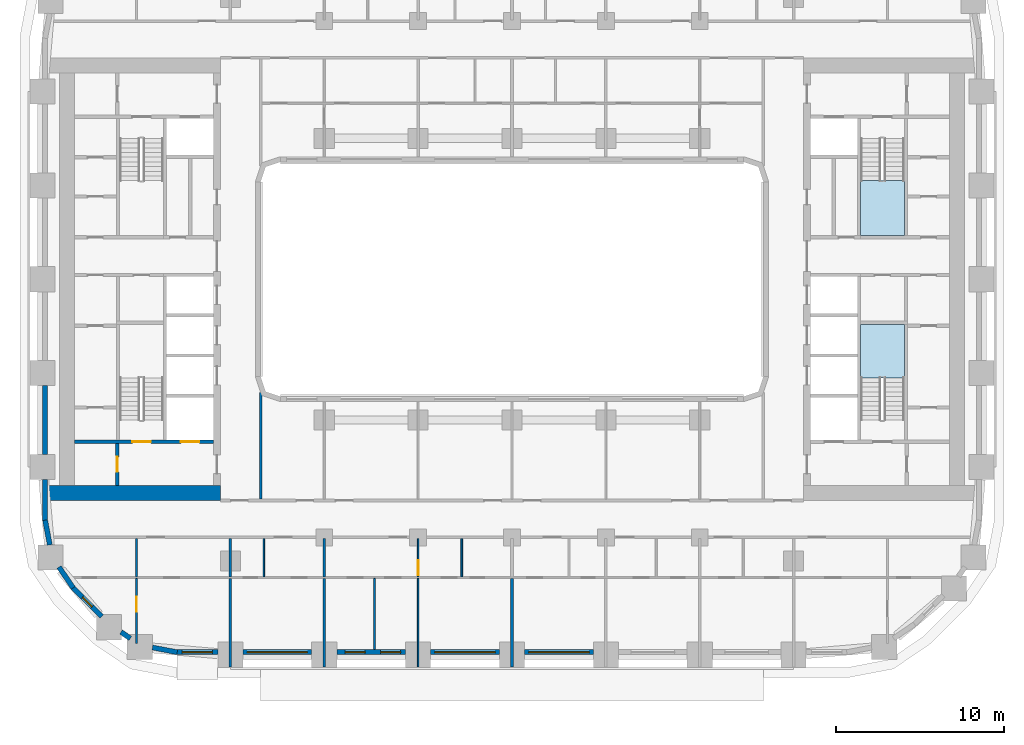
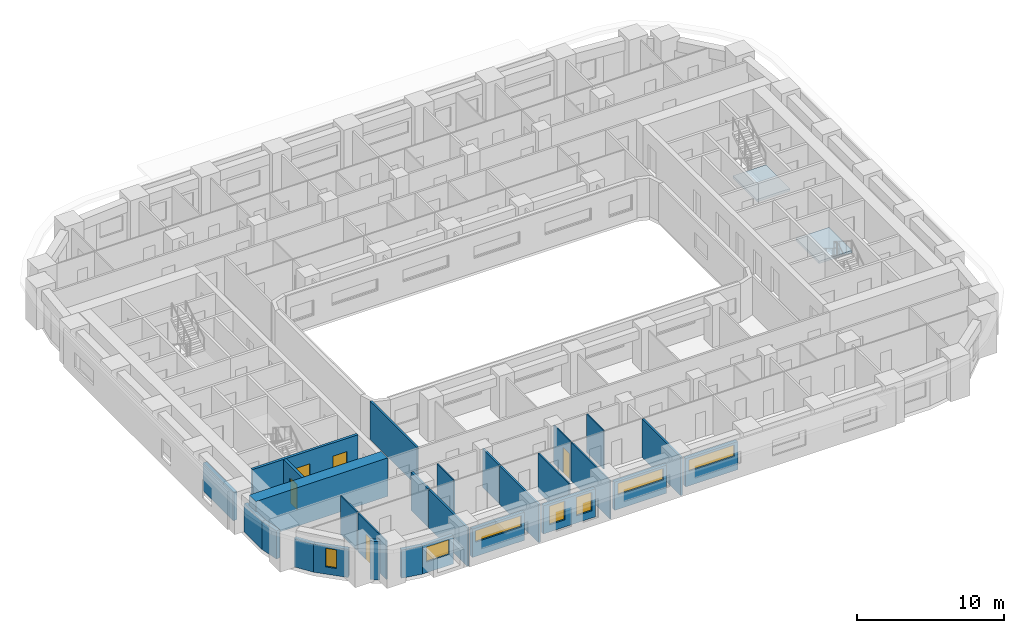
# One storey, part 2 of 21: 28 walls, 7 windows, 5 doors, 2 slabs, 12 openings, 2 elements without a shape of their own.
"""IFC4 building model written with IfcOpenShell, lengths in metres."""

from ifc_helpers import new_model, si_unit, direction, frame, frame_2d, origin, place, context, subcontext, project, spatial, polyline, rectangle, outline, extrude, material, layer, layer_set, type_object, element, fill, aggregate, save


model = new_model("IFC4")

# Units and contexts
model_context = context("Model", 3, precision=1e-05, world=origin(), true_north=direction((0.0, 1.0)))
body_context = subcontext(model_context, "Body", "Model", "MODEL_VIEW")
ifc_project = project(units=[si_unit("LENGTHUNIT", "METRE"), si_unit("AREAUNIT", "SQUARE_METRE"), si_unit("VOLUMEUNIT", "CUBIC_METRE"), si_unit("PLANEANGLEUNIT", "RADIAN"), si_unit("MASSUNIT", "GRAM", prefix="KILO")], contexts=[model_context])

# Site, building, storey
site_placement = place(None, origin())
site = spatial("IfcSite", under=ifc_project, at=site_placement, CompositionType="ELEMENT")
building_placement = place(site_placement, origin())
building = spatial("IfcBuilding", under=site, at=building_placement, Name="Kiln Ring Residences", CompositionType="ELEMENT")
storey_placement = place(building_placement, frame((0.0, 0.0, 41.0)))
storey = spatial("IfcBuildingStorey", under=building, at=storey_placement, Name="L09", CompositionType="ELEMENT", Elevation=41.0)

# Stair, slab
ifc_material_1 = material(Name="Concrete C40/50", Category="concrete")
stair_type = type_object("IfcStairType", Name="CORE-STAIR", PredefinedType="HALF_TURN_STAIR", material=ifc_material_1)
placement_1 = place(storey_placement, origin())
stair_1 = element("IfcStair", 1, at=placement_1, inside=storey, type_object=stair_type, Name="L09 stair E-STN", PredefinedType="HALF_TURN_STAIR")
ifc_material_2 = material(Name="Concrete C40/50", Category="concrete")
ifc_layer_1 = layer(ifc_material_2, 0.199951171875)
ifc_layer_set_1 = layer_set([ifc_layer_1], Name="CORE-STAIR-LANDING")
slab_type = type_object("IfcSlabType", Name="CORE-STAIR-LANDING", PredefinedType="LANDING", material=ifc_layer_set_1)
placement_2 = place(storey_placement, frame((0.0, 0.0, 1.550048828125)))
slab_1 = element("IfcSlab", 2, at=placement_2, type_object=slab_type, Name="E-STN landing 1", PredefinedType="LANDING", context=body_context, shape_type="SweptSolid", body=[
    extrude(outline(polyline([(20.800048828125, 5.8798828125), (20.800048828125, 2.60009765625), (23.39990234375, 2.60009765625), (23.39990234375, 5.8798828125), (20.800048828125, 5.8798828125)])), origin(), (0.0, 0.0, 1.0), 0.199951171875),
])
aggregate(stair_1, [slab_1])

stair_2 = element("IfcStair", 3, at=placement_1, inside=storey, type_object=stair_type, Name="L09 stair E-STS", PredefinedType="HALF_TURN_STAIR")
slab_2 = element("IfcSlab", 4, at=placement_2, type_object=slab_type, Name="E-STS landing 1", PredefinedType="LANDING", context=body_context, shape_type="SweptSolid", body=[
    extrude(outline(polyline([(23.39990234375, -5.8798828125), (23.39990234375, -2.699951171875), (20.800048828125, -2.699951171875), (20.800048828125, -5.8798828125), (23.39990234375, -5.8798828125)])), origin(), (0.0, 0.0, 1.0), 0.199951171875),
])
aggregate(stair_2, [slab_2])

# Wall, opening, door
ifc_material_3 = material(Name="Gypsum board on steel studs", Category="steel")
ifc_layer_2 = layer(ifc_material_3, 0.199951171875)
ifc_layer_set_2 = layer_set([ifc_layer_2], Name="CORE-PARTITION-200")
wall_type_1 = type_object("IfcWallType", Name="CORE-PARTITION-200", PredefinedType="PARTITIONING", material=ifc_layer_set_2)
wall_1_placement = place(storey_placement, frame((-23.550048828125, -12.300048828125, 0.0), z_axis=(0.0, 0.0, 1.0), x_axis=(0.0, 1.0, 0.0)))
wall_1 = element("IfcWall", 5, at=wall_1_placement, inside=storey, type_object=wall_type_1, Name="Core partition west L09 5", PredefinedType="PARTITIONING", context=body_context, shape_type="SweptSolid", body=[
    extrude(rectangle(XDim=2.5, YDim=0.199951171875, at=frame_2d((1.25, 0.0))), origin(), (0.0, 0.0, 1.0), 3.199951171875),
])
opening_1_placement = place(wall_1_placement, frame((0.800048828125, 0.0, 0.0)))
opening_1 = element("IfcOpeningElement", 6, at=opening_1_placement, cuts=wall_1, Name="Opening L09-CW11", PredefinedType="OPENING", context=body_context, shape_type="SweptSolid", body=[
    extrude(rectangle(XDim=0.89990234375, YDim=2.10009765625, at=frame_2d((0.449951171875, 1.050048828125))), frame((0.0, 0.10986328125, 0.0), z_axis=(0.0, -1.0, 0.0), x_axis=(1.0, 0.0, 0.0)), (0.0, 0.0, 1.0), 0.219970703125),
])
ifc_material_4 = material(Name="Steel door leaf", Category="steel")
door_type_1 = type_object("IfcDoorType", Name="CORE-DOOR-ROOM", OperationType="SINGLE_SWING_LEFT", PredefinedType="DOOR", material=ifc_material_4)
door_1_placement = place(opening_1_placement, origin())
door_1 = element("IfcDoor", 7, at=door_1_placement, inside=storey, type_object=door_type_1, Name="Store L09-CW11", OperationType="SINGLE_SWING_LEFT", OverallHeight=2.10009765625, OverallWidth=0.89990234375, PredefinedType="DOOR", context=body_context, shape_type="SweptSolid", body=[
    extrude(rectangle(XDim=0.89990234375, YDim=2.10009765625, at=frame_2d((0.449951171875, 1.050048828125))), frame((0.0, 0.02490234375, 0.0), z_axis=(0.0, -1.0, 0.0), x_axis=(1.0, 0.0, 0.0)), (0.0, 0.0, 1.0), 0.050048828125),
])
fill(opening_1, door_1)

# Wall, openings, doors
ifc_material_5 = material(Name="Concrete C40/50", Category="concrete")
ifc_layer_3 = layer(ifc_material_5, 0.199951171875)
ifc_layer_set_3 = layer_set([ifc_layer_3], Name="CORE-WALL-RC200")
wall_type_2 = type_object("IfcWallType", Name="CORE-WALL-RC200", PredefinedType="SHEAR", material=ifc_layer_set_3)
wall_2_placement = place(storey_placement, frame((-17.800048828125, -9.699951171875, 0.0), z_axis=(0.0, 0.0, 1.0), x_axis=(-1.0, 0.0, 0.0)))
wall_2 = element("IfcWall", 8, at=wall_2_placement, inside=storey, type_object=wall_type_2, Name="Core wall west L09 8", PredefinedType="SHEAR", context=body_context, shape_type="SweptSolid", body=[
    extrude(rectangle(XDim=8.300048828125, YDim=0.199951171875, at=frame_2d((4.14990234375, 0.0))), origin(), (0.0, 0.0, 1.0), 3.199951171875),
])
opening_2_placement = place(wall_2_placement, frame((0.85009765625, 0.0, 0.0)))
opening_2 = element("IfcOpeningElement", 9, at=opening_2_placement, cuts=wall_2, Name="Opening L09-CW01", PredefinedType="OPENING", context=body_context, shape_type="SweptSolid", body=[
    extrude(rectangle(XDim=1.10009765625, YDim=2.10009765625, at=frame_2d((0.550048828125, 1.050048828125))), frame((0.0, 0.10986328125, 0.0), z_axis=(0.0, -1.0, 0.0), x_axis=(1.0, 0.0, 0.0)), (0.0, 0.0, 1.0), 0.219970703125),
])
opening_3_placement = place(wall_2_placement, frame((3.75, 0.0, 0.0)))
opening_3 = element("IfcOpeningElement", 10, at=opening_3_placement, cuts=wall_2, Name="Opening L09-CW13", PredefinedType="OPENING", context=body_context, shape_type="SweptSolid", body=[
    extrude(rectangle(XDim=1.10009765625, YDim=2.10009765625, at=frame_2d((0.550048828125, 1.050048828125))), frame((0.0, 0.10986328125, 0.0), z_axis=(0.0, -1.0, 0.0), x_axis=(1.0, 0.0, 0.0)), (0.0, 0.0, 1.0), 0.219970703125),
])
ifc_material_6 = material(Name="Steel door leaf", Category="steel")
door_type_2 = type_object("IfcDoorType", Name="CORE-DOOR-LD", OperationType="DOUBLE_DOOR_SLIDING", PredefinedType="DOOR", material=ifc_material_6)
door_2_placement = place(opening_2_placement, origin())
door_2 = element("IfcDoor", 11, at=door_2_placement, inside=storey, type_object=door_type_2, Name="LD W-SV L09-CW01", OperationType="DOUBLE_DOOR_SLIDING", OverallHeight=2.10009765625, OverallWidth=1.10009765625, PredefinedType="DOOR", context=body_context, shape_type="SweptSolid", body=[
    extrude(rectangle(XDim=1.10009765625, YDim=2.10009765625, at=frame_2d((0.550048828125, 1.050048828125))), frame((0.0, 0.02490234375, 0.0), z_axis=(0.0, -1.0, 0.0), x_axis=(1.0, 0.0, 0.0)), (0.0, 0.0, 1.0), 0.050048828125),
])
fill(opening_2, door_2)
ifc_material_7 = material(Name="Steel door leaf", Category="steel")
door_type_3 = type_object("IfcDoorType", Name="CORE-DOOR-STAIR", OperationType="SINGLE_SWING_LEFT", PredefinedType="DOOR", material=ifc_material_7)
door_3_placement = place(opening_3_placement, origin())
door_3 = element("IfcDoor", 12, at=door_3_placement, inside=storey, type_object=door_type_3, Name="Stair W-STS L09-CW13", OperationType="SINGLE_SWING_RIGHT", OverallHeight=2.10009765625, OverallWidth=1.10009765625, PredefinedType="DOOR", context=body_context, shape_type="SweptSolid", body=[
    extrude(rectangle(XDim=1.10009765625, YDim=2.10009765625, at=frame_2d((0.550048828125, 1.050048828125))), frame((0.0, 0.02490234375, 0.0), z_axis=(0.0, -1.0, 0.0), x_axis=(1.0, 0.0, 0.0)), (0.0, 0.0, 1.0), 0.050048828125),
])
fill(opening_3, door_3)

# Wall
ifc_material_8 = material(Name="Concrete C60/75", Category="concrete")
ifc_layer_4 = layer(ifc_material_8, 0.89990234375)
ifc_layer_set_4 = layer_set([ifc_layer_4], Name="CORE-WALL-RC900")
wall_type_3 = type_object("IfcWallType", Name="CORE-WALL-RC900", PredefinedType="SHEAR", material=ifc_layer_set_4)
wall_3_placement = place(storey_placement, frame((-17.39990234375, -12.75, 0.0), z_axis=(0.0, 0.0, 1.0), x_axis=(-1.0, 0.0, 0.0)))
element("IfcWall", 13, at=wall_3_placement, inside=storey, type_object=wall_type_3, Name="Core wall west L09 5", PredefinedType="SHEAR", context=body_context, shape_type="SweptSolid", body=[
    extrude(rectangle(XDim=10.400146484375, YDim=0.89990234375, at=frame_2d((5.2001953125, 0.0))), origin(), (0.0, 0.0, 1.0), 3.199951171875),
])

# Wall, opening, window
ifc_material_9 = material(Name="Brick masonry, dark clay brick", Category="masonry")
ifc_layer_5 = layer(ifc_material_9, 0.300048828125)
ifc_layer_set_5 = layer_set([ifc_layer_5], Name="EW-300 BRICK WALL")
wall_type_4 = type_object("IfcWallType", Name="EW-300 BRICK WALL", PredefinedType="SOLIDWALL", material=ifc_layer_set_5)
wall_4_placement = place(storey_placement, frame((-26.19677734375, -18.390869140625, 0.0), z_axis=(0.0, 0.0, 1.0), x_axis=(0.707106781187, -0.707106781187, 0.0)))
wall_4 = element("IfcWall", 14, at=wall_4_placement, inside=storey, type_object=wall_type_4, Name="Facade wall L09 1", PredefinedType="SOLIDWALL", context=body_context, shape_type="SweptSolid", body=[
    extrude(rectangle(XDim=2.449951171875, YDim=0.300048828125, at=frame_2d((1.22509765625, 0.0))), origin(), (0.0, 0.0, 1.0), 2.35009765625),
])
opening_4_placement = place(wall_4_placement, frame((0.824951171875, 0.0, 0.60009765625)))
opening_4 = element("IfcOpeningElement", 15, at=opening_4_placement, cuts=wall_4, Name="Opening W5", PredefinedType="OPENING", context=body_context, shape_type="SweptSolid", body=[
    extrude(rectangle(XDim=0.800048828125, YDim=1.550048828125, at=frame_2d((0.39990234375, 0.77490234375))), frame((0.0, 0.159912109375, 0.0), z_axis=(0.0, -1.0, 0.0), x_axis=(1.0, 0.0, 0.0)), (0.0, 0.0, 1.0), 0.320068359375),
])
ifc_material_10 = material(Name="Aluminium frame with double glazing", Category="aluminium")
window_type_1 = type_object("IfcWindowType", Name="WINDOW 800 x 1550", PartitioningType="SINGLE_PANEL", PredefinedType="WINDOW", material=ifc_material_10)
window_1_placement = place(opening_4_placement, origin())
window_1 = element("IfcWindow", 16, at=window_1_placement, inside=storey, type_object=window_type_1, Name="Window L09 1", OverallHeight=1.550048828125, OverallWidth=0.800048828125, PartitioningType="SINGLE_PANEL", PredefinedType="WINDOW", context=body_context, shape_type="SweptSolid", body=[
    extrude(rectangle(XDim=0.800048828125, YDim=1.550048828125, at=frame_2d((0.39990234375, 0.77490234375))), frame((0.0, 0.030029296875, 0.0), z_axis=(0.0, -1.0, 0.0), x_axis=(1.0, 0.0, 0.0)), (0.0, 0.0, 1.0), 0.06005859375),
])
fill(opening_4, window_1)

# Walls
wall_5_placement = place(storey_placement, frame((-23.3271484375, -21.044921875, 0.0), z_axis=(0.0, 0.0, 1.0), x_axis=(0.827080706709, -0.562083182981, 0.0)))
element("IfcWall", 17, at=wall_5_placement, inside=storey, type_object=wall_type_4, Name="Facade wall L09 2", PredefinedType="SOLIDWALL", context=body_context, shape_type="SweptSolid", body=[
    extrude(rectangle(XDim=0.67724609375, YDim=0.300048828125, at=frame_2d((0.338623046875, 0.0))), origin(), (0.0, 0.0, 1.0), 3.199951171875),
])
wall_6_placement = place(storey_placement, frame((-21.451416015625, -21.970458984375, 0.0), z_axis=(0.0, 0.0, 1.0), x_axis=(0.982287454367, -0.187380247071, 0.0)))
element("IfcWall", 18, at=wall_6_placement, inside=storey, type_object=wall_type_4, Name="Facade wall L09 3", PredefinedType="SOLIDWALL", context=body_context, shape_type="SweptSolid", body=[
    extrude(rectangle(XDim=1.506103515625, YDim=0.300048828125, at=frame_2d((0.7529296875, 0.0))), origin(), (0.0, 0.0, 1.0), 2.35009765625),
])

# Wall, opening, window
wall_7_placement = place(storey_placement, frame((-20.0, -22.25, 0.0), z_axis=(0.0, 0.0, 1.0), x_axis=(1.0, 0.0, 0.0)))
wall_7 = element("IfcWall", 19, at=wall_7_placement, inside=storey, type_object=wall_type_4, Name="Facade wall L09 4", PredefinedType="SOLIDWALL", context=body_context, shape_type="SweptSolid", body=[
    extrude(rectangle(XDim=2.449951171875, YDim=0.300048828125, at=frame_2d((1.22509765625, 0.0))), origin(), (0.0, 0.0, 1.0), 2.35009765625),
])
opening_5_placement = place(wall_7_placement, frame((0.324951171875, 0.0, 0.89990234375)))
opening_5 = element("IfcOpeningElement", 20, at=opening_5_placement, cuts=wall_7, Name="Opening W2", PredefinedType="OPENING", context=body_context, shape_type="SweptSolid", body=[
    extrude(rectangle(XDim=1.800048828125, YDim=1.25, at=frame_2d((0.89990234375, 0.625))), frame((0.0, 0.159912109375, 0.0), z_axis=(0.0, -1.0, 0.0), x_axis=(1.0, 0.0, 0.0)), (0.0, 0.0, 1.0), 0.320068359375),
])
ifc_material_11 = material(Name="Aluminium frame with double glazing", Category="aluminium")
window_type_2 = type_object("IfcWindowType", Name="WINDOW 1800 x 1250", PartitioningType="SINGLE_PANEL", PredefinedType="WINDOW", material=ifc_material_11)
window_2_placement = place(opening_5_placement, origin())
window_2 = element("IfcWindow", 21, at=window_2_placement, inside=storey, type_object=window_type_2, Name="Window L09 2", OverallHeight=1.25, OverallWidth=1.800048828125, PartitioningType="SINGLE_PANEL", PredefinedType="WINDOW", context=body_context, shape_type="SweptSolid", body=[
    extrude(rectangle(XDim=1.800048828125, YDim=1.25, at=frame_2d((0.89990234375, 0.625))), frame((0.0, 0.030029296875, 0.0), z_axis=(0.0, -1.0, 0.0), x_axis=(1.0, 0.0, 0.0)), (0.0, 0.0, 1.0), 0.06005859375),
])
fill(opening_5, window_2)

wall_8_placement = place(storey_placement, frame((-16.050048828125, -22.25, 0.0), z_axis=(0.0, 0.0, 1.0), x_axis=(1.0, 0.0, 0.0)))
wall_8 = element("IfcWall", 22, at=wall_8_placement, inside=storey, type_object=wall_type_4, Name="Facade wall L09 5", PredefinedType="SOLIDWALL", context=body_context, shape_type="SweptSolid", body=[
    extrude(rectangle(XDim=4.10009765625, YDim=0.300048828125, at=frame_2d((2.050048828125, 0.0))), origin(), (0.0, 0.0, 1.0), 2.35009765625),
])
opening_6_placement = place(wall_8_placement, frame((0.25, 0.0, 1.199951171875)))
opening_6 = element("IfcOpeningElement", 23, at=opening_6_placement, cuts=wall_8, Name="Opening W4", PredefinedType="OPENING", context=body_context, shape_type="SweptSolid", body=[
    extrude(rectangle(XDim=3.60009765625, YDim=0.949951171875, at=frame_2d((1.800048828125, 0.47509765625))), frame((0.0, 0.159912109375, 0.0), z_axis=(0.0, -1.0, 0.0), x_axis=(1.0, 0.0, 0.0)), (0.0, 0.0, 1.0), 0.320068359375),
])
ifc_material_12 = material(Name="Aluminium frame with double glazing", Category="aluminium")
window_type_3 = type_object("IfcWindowType", Name="WINDOW 3600 x 950", PartitioningType="SINGLE_PANEL", PredefinedType="WINDOW", material=ifc_material_12)
window_3_placement = place(opening_6_placement, origin())
window_3 = element("IfcWindow", 24, at=window_3_placement, inside=storey, type_object=window_type_3, Name="Window L09 3", OverallHeight=0.949951171875, OverallWidth=3.60009765625, PartitioningType="SINGLE_PANEL", PredefinedType="WINDOW", context=body_context, shape_type="SweptSolid", body=[
    extrude(rectangle(XDim=3.60009765625, YDim=0.949951171875, at=frame_2d((1.800048828125, 0.47509765625))), frame((0.0, 0.030029296875, 0.0), z_axis=(0.0, -1.0, 0.0), x_axis=(1.0, 0.0, 0.0)), (0.0, 0.0, 1.0), 0.06005859375),
])
fill(opening_6, window_3)

# Wall, openings, windows
wall_9_placement = place(storey_placement, frame((-10.449951171875, -22.25, 0.0), z_axis=(0.0, 0.0, 1.0), x_axis=(1.0, 0.0, 0.0)))
wall_9 = element("IfcWall", 25, at=wall_9_placement, inside=storey, type_object=wall_type_4, Name="Facade wall L09 6", PredefinedType="SOLIDWALL", context=body_context, shape_type="SweptSolid", body=[
    extrude(rectangle(XDim=4.099853515625, YDim=0.300048828125, at=frame_2d((2.0498046875, 0.0))), origin(), (0.0, 0.0, 1.0), 2.35009765625),
])
opening_7_placement = place(wall_9_placement, frame((0.487548828125, 0.0, 0.60009765625)))
opening_7 = element("IfcOpeningElement", 26, at=opening_7_placement, cuts=wall_9, Name="Opening W1", PredefinedType="OPENING", context=body_context, shape_type="SweptSolid", body=[
    extrude(rectangle(XDim=1.199951171875, YDim=1.550048828125, at=frame_2d((0.60009765625, 0.77490234375))), frame((0.0, 0.159912109375, 0.0), z_axis=(0.0, -1.0, 0.0), x_axis=(1.0, 0.0, 0.0)), (0.0, 0.0, 1.0), 0.320068359375),
])
opening_8_placement = place(wall_9_placement, frame((2.612548828125, 0.0, 0.60009765625)))
opening_8 = element("IfcOpeningElement", 27, at=opening_8_placement, cuts=wall_9, Name="Opening W1", PredefinedType="OPENING", context=body_context, shape_type="SweptSolid", body=[
    extrude(rectangle(XDim=1.199951171875, YDim=1.550048828125, at=frame_2d((0.60009765625, 0.77490234375))), frame((0.0, 0.159912109375, 0.0), z_axis=(0.0, -1.0, 0.0), x_axis=(1.0, 0.0, 0.0)), (0.0, 0.0, 1.0), 0.320068359375),
])
ifc_material_13 = material(Name="Aluminium frame with double glazing", Category="aluminium")
window_type_4 = type_object("IfcWindowType", Name="WINDOW 1200 x 1550", PartitioningType="SINGLE_PANEL", PredefinedType="WINDOW", material=ifc_material_13)
window_4_placement = place(opening_7_placement, origin())
window_4 = element("IfcWindow", 28, at=window_4_placement, inside=storey, type_object=window_type_4, Name="Window L09 4", OverallHeight=1.550048828125, OverallWidth=1.199951171875, PartitioningType="SINGLE_PANEL", PredefinedType="WINDOW", context=body_context, shape_type="SweptSolid", body=[
    extrude(rectangle(XDim=1.199951171875, YDim=1.550048828125, at=frame_2d((0.60009765625, 0.77490234375))), frame((0.0, 0.030029296875, 0.0), z_axis=(0.0, -1.0, 0.0), x_axis=(1.0, 0.0, 0.0)), (0.0, 0.0, 1.0), 0.06005859375),
])
fill(opening_7, window_4)
window_5_placement = place(opening_8_placement, origin())
window_5 = element("IfcWindow", 29, at=window_5_placement, inside=storey, type_object=window_type_4, Name="Window L09 5", OverallHeight=1.550048828125, OverallWidth=1.199951171875, PartitioningType="SINGLE_PANEL", PredefinedType="WINDOW", context=body_context, shape_type="SweptSolid", body=[
    extrude(rectangle(XDim=1.199951171875, YDim=1.550048828125, at=frame_2d((0.60009765625, 0.77490234375))), frame((0.0, 0.030029296875, 0.0), z_axis=(0.0, -1.0, 0.0), x_axis=(1.0, 0.0, 0.0)), (0.0, 0.0, 1.0), 0.06005859375),
])
fill(opening_8, window_5)

# Wall, opening, window
wall_10_placement = place(storey_placement, frame((-4.85009765625, -22.25, 0.0), z_axis=(0.0, 0.0, 1.0), x_axis=(1.0, 0.0, 0.0)))
wall_10 = element("IfcWall", 30, at=wall_10_placement, inside=storey, type_object=wall_type_4, Name="Facade wall L09 7", PredefinedType="SOLIDWALL", context=body_context, shape_type="SweptSolid", body=[
    extrude(rectangle(XDim=4.10009765625, YDim=0.300048828125, at=frame_2d((2.050048828125, 0.0))), origin(), (0.0, 0.0, 1.0), 2.35009765625),
])
opening_9_placement = place(wall_10_placement, frame((0.25, 0.0, 1.199951171875)))
opening_9 = element("IfcOpeningElement", 31, at=opening_9_placement, cuts=wall_10, Name="Opening W4", PredefinedType="OPENING", context=body_context, shape_type="SweptSolid", body=[
    extrude(rectangle(XDim=3.60009765625, YDim=0.949951171875, at=frame_2d((1.800048828125, 0.47509765625))), frame((0.0, 0.159912109375, 0.0), z_axis=(0.0, -1.0, 0.0), x_axis=(1.0, 0.0, 0.0)), (0.0, 0.0, 1.0), 0.320068359375),
])
window_6_placement = place(opening_9_placement, origin())
window_6 = element("IfcWindow", 32, at=window_6_placement, inside=storey, type_object=window_type_3, Name="Window L09 6", OverallHeight=0.949951171875, OverallWidth=3.60009765625, PartitioningType="SINGLE_PANEL", PredefinedType="WINDOW", context=body_context, shape_type="SweptSolid", body=[
    extrude(rectangle(XDim=3.60009765625, YDim=0.949951171875, at=frame_2d((1.800048828125, 0.47509765625))), frame((0.0, 0.030029296875, 0.0), z_axis=(0.0, -1.0, 0.0), x_axis=(1.0, 0.0, 0.0)), (0.0, 0.0, 1.0), 0.06005859375),
])
fill(opening_9, window_6)

wall_11_placement = place(storey_placement, frame((0.75, -22.25, 0.0), z_axis=(0.0, 0.0, 1.0), x_axis=(1.0, 0.0, 0.0)))
wall_11 = element("IfcWall", 33, at=wall_11_placement, inside=storey, type_object=wall_type_4, Name="Facade wall L09 8", PredefinedType="SOLIDWALL", context=body_context, shape_type="SweptSolid", body=[
    extrude(rectangle(XDim=4.10009765625, YDim=0.300048828125, at=frame_2d((2.050048828125, 0.0))), origin(), (0.0, 0.0, 1.0), 2.35009765625),
])
opening_10_placement = place(wall_11_placement, frame((0.25, 0.0, 1.199951171875)))
opening_10 = element("IfcOpeningElement", 34, at=opening_10_placement, cuts=wall_11, Name="Opening W4", PredefinedType="OPENING", context=body_context, shape_type="SweptSolid", body=[
    extrude(rectangle(XDim=3.60009765625, YDim=0.949951171875, at=frame_2d((1.800048828125, 0.47509765625))), frame((0.0, 0.159912109375, 0.0), z_axis=(0.0, -1.0, 0.0), x_axis=(1.0, 0.0, 0.0)), (0.0, 0.0, 1.0), 0.320068359375),
])
window_7_placement = place(opening_10_placement, origin())
window_7 = element("IfcWindow", 35, at=window_7_placement, inside=storey, type_object=window_type_3, Name="Window L09 7", OverallHeight=0.949951171875, OverallWidth=3.60009765625, PartitioningType="SINGLE_PANEL", PredefinedType="WINDOW", context=body_context, shape_type="SweptSolid", body=[
    extrude(rectangle(XDim=3.60009765625, YDim=0.949951171875, at=frame_2d((1.800048828125, 0.47509765625))), frame((0.0, 0.030029296875, 0.0), z_axis=(0.0, -1.0, 0.0), x_axis=(1.0, 0.0, 0.0)), (0.0, 0.0, 1.0), 0.06005859375),
])
fill(opening_10, window_7)

# Walls
wall_12_placement = place(storey_placement, frame((-27.85009765625, -6.35009765625, 0.0), z_axis=(0.0, 0.0, 1.0), x_axis=(0.0, -1.0, 0.0)))
element("IfcWall", 36, at=wall_12_placement, inside=storey, type_object=wall_type_4, Name="Facade wall L09 45", PredefinedType="SOLIDWALL", context=body_context, shape_type="SweptSolid", body=[
    extrude(rectangle(XDim=4.099853515625, YDim=0.300048828125, at=frame_2d((2.0498046875, 0.0))), origin(), (0.0, 0.0, 1.0), 2.35009765625),
])
wall_13_placement = place(storey_placement, frame((-27.85009765625, -11.949951171875, 0.0), z_axis=(0.0, 0.0, 1.0), x_axis=(0.0, -1.0, 0.0)))
element("IfcWall", 37, at=wall_13_placement, inside=storey, type_object=wall_type_4, Name="Facade wall L09 46", PredefinedType="SOLIDWALL", context=body_context, shape_type="SweptSolid", body=[
    extrude(rectangle(XDim=2.449951171875, YDim=0.300048828125, at=frame_2d((1.22509765625, 0.0))), origin(), (0.0, 0.0, 1.0), 2.35009765625),
])
for number, where, z_axis, x_axis, name in (
    (38, (-27.8525390625, -14.371826171875, 0.0), (0.0, 0.0, 1.0), (0.187223837635, -0.982317277982, 0.0), "Facade wall L09 47"),
    (39, (-27.025390625, -17.1669921875, 0.0), (0.0, 0.0, 1.0), (0.561973021955, -0.827155561303, 0.0), "Facade wall L09 48"),
):
    element("IfcWall", number, at=place(storey_placement, frame(where, z_axis=z_axis, x_axis=x_axis)), inside=storey, type_object=wall_type_4, Name=name, PredefinedType="SOLIDWALL", context=body_context, shape_type="SweptSolid", body=[
        extrude(rectangle(XDim=1.506103515625, YDim=0.300048828125, at=frame_2d((0.7529296875, 0.0))), origin(), (0.0, 0.0, 1.0), 2.35009765625),
    ])

# Wall, opening, door
ifc_material_14 = material(Name="Gypsum board on steel studs", Category="steel")
ifc_layer_6 = layer(ifc_material_14, 0.10009765625)
ifc_layer_set_6 = layer_set([ifc_layer_6], Name="PARTITION-100")
wall_type_5 = type_object("IfcWallType", Name="PARTITION-100", PredefinedType="PARTITIONING", material=ifc_layer_set_6)
wall_14_placement = place(storey_placement, frame((-22.39990234375, -21.719970703125, 0.0), z_axis=(0.0, 0.0, 1.0), x_axis=(0.0, 1.0, 0.0)))
wall_14 = element("IfcWall", 40, at=wall_14_placement, inside=storey, type_object=wall_type_5, Name="Partition 007", PredefinedType="PARTITIONING", context=body_context, shape_type="SweptSolid", body=[
    extrude(rectangle(XDim=3.869873046875, YDim=0.10009765625, at=frame_2d((1.93505859375, 0.0))), origin(), (0.0, 0.0, 1.0), 3.199951171875),
])
opening_11_placement = place(wall_14_placement, frame((1.8701171875, 0.0, 0.0)))
opening_11 = element("IfcOpeningElement", 41, at=opening_11_placement, cuts=wall_14, Name="Opening L09-D054", PredefinedType="OPENING", context=body_context, shape_type="SweptSolid", body=[
    extrude(rectangle(XDim=0.89990234375, YDim=2.10009765625, at=frame_2d((0.449951171875, 1.050048828125))), frame((0.0, 0.06005859375, 0.0), z_axis=(0.0, -1.0, 0.0), x_axis=(1.0, 0.0, 0.0)), (0.0, 0.0, 1.0), 0.1201171875),
])
ifc_material_15 = material(Name="Timber door leaf", Category="wood")
door_type_4 = type_object("IfcDoorType", Name="FLAT-DOOR-900-PL", OperationType="SINGLE_SWING_LEFT", PredefinedType="DOOR", material=ifc_material_15)
door_4_placement = place(opening_11_placement, origin())
door_4 = element("IfcDoor", 42, at=door_4_placement, inside=storey, type_object=door_type_4, Name="Door L09-D054", OperationType="SINGLE_SWING_LEFT", OverallHeight=2.10009765625, OverallWidth=0.89990234375, PredefinedType="DOOR", context=body_context, shape_type="SweptSolid", body=[
    extrude(rectangle(XDim=0.89990234375, YDim=2.10009765625, at=frame_2d((0.449951171875, 1.050048828125))), frame((0.0, 0.02490234375, 0.0), z_axis=(0.0, -1.0, 0.0), x_axis=(1.0, 0.0, 0.0)), (0.0, 0.0, 1.0), 0.050048828125),
])
fill(opening_11, door_4)

# Walls
for number, where, z_axis, x_axis, name in (
    (43, (-22.39990234375, -17.75, 0.0), (0.0, 0.0, 1.0), (0.0, 1.0, 0.0), "Partition 008"),
    (44, (-14.800048828125, -17.75, 0.0), (0.0, 0.0, 1.0), (0.0, 1.0, 0.0), "Partition 017"),
):
    element("IfcWall", number, at=place(storey_placement, frame(where, z_axis=z_axis, x_axis=x_axis)), inside=storey, type_object=wall_type_5, Name=name, PredefinedType="PARTITIONING", context=body_context, shape_type="SweptSolid", body=[
        extrude(rectangle(XDim=2.27490234375, YDim=0.10009765625, at=frame_2d((1.137451171875, 0.0))), origin(), (0.0, 0.0, 1.0), 3.199951171875),
    ])
wall_15_placement = place(storey_placement, frame((-8.199951171875, -22.080078125, 0.0), z_axis=(0.0, 0.0, 1.0), x_axis=(0.0, 1.0, 0.0)))
element("IfcWall", 45, at=wall_15_placement, inside=storey, type_object=wall_type_5, Name="Partition 027", PredefinedType="PARTITIONING", context=body_context, shape_type="SweptSolid", body=[
    extrude(rectangle(XDim=4.22998046875, YDim=0.10009765625, at=frame_2d((2.114990234375, 0.0))), origin(), (0.0, 0.0, 1.0), 3.199951171875),
])
wall_16_placement = place(storey_placement, frame((-5.60009765625, -23.1298828125, 0.0), z_axis=(0.0, 0.0, 1.0), x_axis=(0.0, 1.0, 0.0)))
element("IfcWall", 46, at=wall_16_placement, inside=storey, type_object=wall_type_5, Name="Partition 028", PredefinedType="PARTITIONING", context=body_context, shape_type="SweptSolid", body=[
    extrude(rectangle(XDim=5.27978515625, YDim=0.10009765625, at=frame_2d((2.639892578125, 0.0))), origin(), (0.0, 0.0, 1.0), 3.199951171875),
])

# Wall, opening, door
wall_17_placement = place(storey_placement, frame((-5.60009765625, -17.75, 0.0), z_axis=(0.0, 0.0, 1.0), x_axis=(0.0, 1.0, 0.0)))
wall_17 = element("IfcWall", 47, at=wall_17_placement, inside=storey, type_object=wall_type_5, Name="Partition 029", PredefinedType="PARTITIONING", context=body_context, shape_type="SweptSolid", body=[
    extrude(rectangle(XDim=2.27490234375, YDim=0.10009765625, at=frame_2d((1.137451171875, 0.0))), origin(), (0.0, 0.0, 1.0), 3.199951171875),
])
opening_12_placement = place(wall_17_placement, frame((0.10009765625, 0.0, 0.0)))
opening_12 = element("IfcOpeningElement", 48, at=opening_12_placement, cuts=wall_17, Name="Opening L09-D059", PredefinedType="OPENING", context=body_context, shape_type="SweptSolid", body=[
    extrude(rectangle(XDim=0.89990234375, YDim=2.10009765625, at=frame_2d((0.449951171875, 1.050048828125))), frame((0.0, 0.06005859375, 0.0), z_axis=(0.0, -1.0, 0.0), x_axis=(1.0, 0.0, 0.0)), (0.0, 0.0, 1.0), 0.1201171875),
])
door_5_placement = place(opening_12_placement, origin())
door_5 = element("IfcDoor", 49, at=door_5_placement, inside=storey, type_object=door_type_4, Name="Door L09-D059", OperationType="SINGLE_SWING_LEFT", OverallHeight=2.10009765625, OverallWidth=0.89990234375, PredefinedType="DOOR", context=body_context, shape_type="SweptSolid", body=[
    extrude(rectangle(XDim=0.89990234375, YDim=2.10009765625, at=frame_2d((0.449951171875, 1.050048828125))), frame((0.0, 0.02490234375, 0.0), z_axis=(0.0, -1.0, 0.0), x_axis=(1.0, 0.0, 0.0)), (0.0, 0.0, 1.0), 0.050048828125),
])
fill(opening_12, door_5)

# Walls
wall_18_placement = place(storey_placement, frame((-3.0, -17.75, 0.0), z_axis=(0.0, 0.0, 1.0), x_axis=(0.0, 1.0, 0.0)))
element("IfcWall", 50, at=wall_18_placement, inside=storey, type_object=wall_type_5, Name="Partition 036", PredefinedType="PARTITIONING", context=body_context, shape_type="SweptSolid", body=[
    extrude(rectangle(XDim=2.27490234375, YDim=0.10009765625, at=frame_2d((1.137451171875, 0.0))), origin(), (0.0, 0.0, 1.0), 3.199951171875),
])
ifc_material_16 = material(Name="Brick masonry partition", Category="masonry")
ifc_layer_7 = layer(ifc_material_16, 0.14990234375)
ifc_layer_set_7 = layer_set([ifc_layer_7], Name="PARTITION-150-ei60")
wall_type_6 = type_object("IfcWallType", Name="PARTITION-150-ei60", PredefinedType="PARTITIONING", material=ifc_layer_set_7)
wall_19_placement = place(storey_placement, frame((-16.800048828125, -23.1298828125, 0.0), z_axis=(0.0, 0.0, 1.0), x_axis=(0.0, 1.0, 0.0)))
element("IfcWall", 51, at=wall_19_placement, inside=storey, type_object=wall_type_6, Name="Partition 011", PredefinedType="PARTITIONING", context=body_context, shape_type="SweptSolid", body=[
    extrude(rectangle(XDim=5.27978515625, YDim=0.14990234375, at=frame_2d((2.639892578125, 0.0))), origin(), (0.0, 0.0, 1.0), 3.199951171875),
])
wall_20_placement = place(storey_placement, frame((-16.800048828125, -17.75, 0.0), z_axis=(0.0, 0.0, 1.0), x_axis=(0.0, 1.0, 0.0)))
element("IfcWall", 52, at=wall_20_placement, inside=storey, type_object=wall_type_6, Name="Partition 012", PredefinedType="PARTITIONING", context=body_context, shape_type="SweptSolid", body=[
    extrude(rectangle(XDim=2.27490234375, YDim=0.14990234375, at=frame_2d((1.137451171875, 0.0))), origin(), (0.0, 0.0, 1.0), 3.199951171875),
])
wall_21_placement = place(storey_placement, frame((-15.0, -13.125, 0.0), z_axis=(0.0, 0.0, 1.0), x_axis=(0.0, 1.0, 0.0)))
element("IfcWall", 53, at=wall_21_placement, inside=storey, type_object=wall_type_6, Name="Partition 015", PredefinedType="PARTITIONING", context=body_context, shape_type="SweptSolid", body=[
    extrude(rectangle(XDim=6.356201171875, YDim=0.14990234375, at=frame_2d((3.17822265625, 0.0))), origin(), (0.0, 0.0, 1.0), 3.199951171875),
])
wall_22_placement = place(storey_placement, frame((-11.199951171875, -23.1298828125, 0.0), z_axis=(0.0, 0.0, 1.0), x_axis=(0.0, 1.0, 0.0)))
element("IfcWall", 54, at=wall_22_placement, inside=storey, type_object=wall_type_6, Name="Partition 024", PredefinedType="PARTITIONING", context=body_context, shape_type="SweptSolid", body=[
    extrude(rectangle(XDim=5.27978515625, YDim=0.14990234375, at=frame_2d((2.639892578125, 0.0))), origin(), (0.0, 0.0, 1.0), 3.199951171875),
])
wall_23_placement = place(storey_placement, frame((-11.199951171875, -17.75, 0.0), z_axis=(0.0, 0.0, 1.0), x_axis=(0.0, 1.0, 0.0)))
element("IfcWall", 55, at=wall_23_placement, inside=storey, type_object=wall_type_6, Name="Partition 025", PredefinedType="PARTITIONING", context=body_context, shape_type="SweptSolid", body=[
    extrude(rectangle(XDim=2.27490234375, YDim=0.14990234375, at=frame_2d((1.137451171875, 0.0))), origin(), (0.0, 0.0, 1.0), 3.199951171875),
])
wall_24_placement = place(storey_placement, frame((0.0, -23.1298828125, 0.0), z_axis=(0.0, 0.0, 1.0), x_axis=(0.0, 1.0, 0.0)))
element("IfcWall", 56, at=wall_24_placement, inside=storey, type_object=wall_type_6, Name="Partition 039", PredefinedType="PARTITIONING", context=body_context, shape_type="SweptSolid", body=[
    extrude(rectangle(XDim=5.27978515625, YDim=0.14990234375, at=frame_2d((2.639892578125, 0.0))), origin(), (0.0, 0.0, 1.0), 3.199951171875),
])

save(model, "model.ifc")
